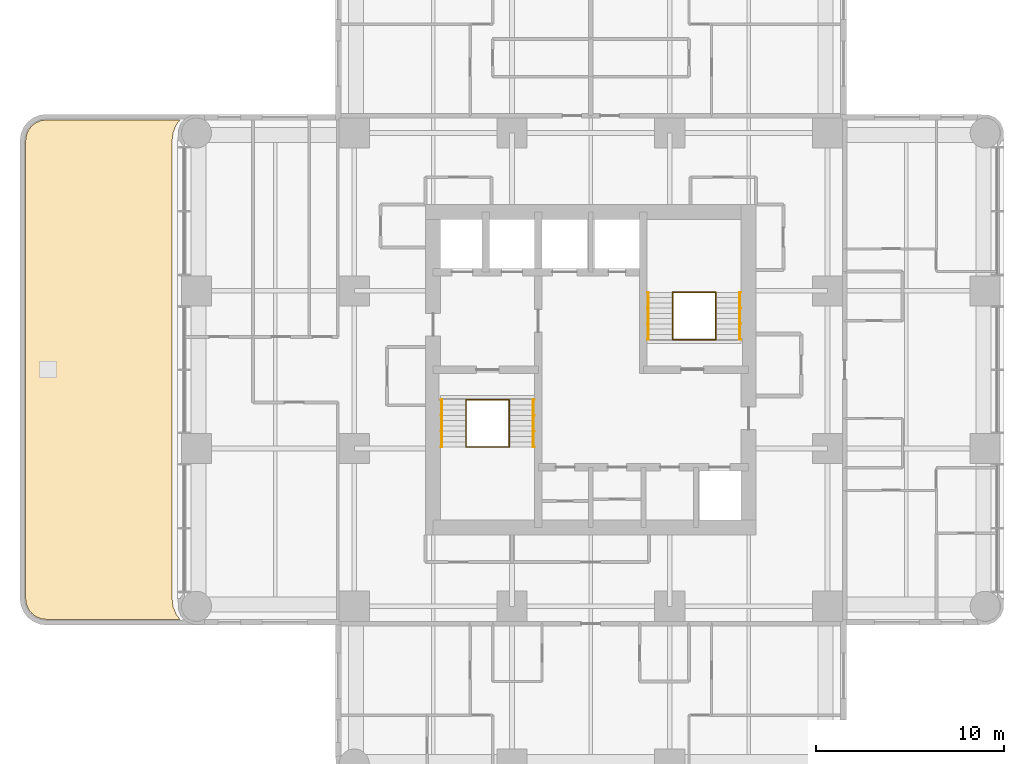
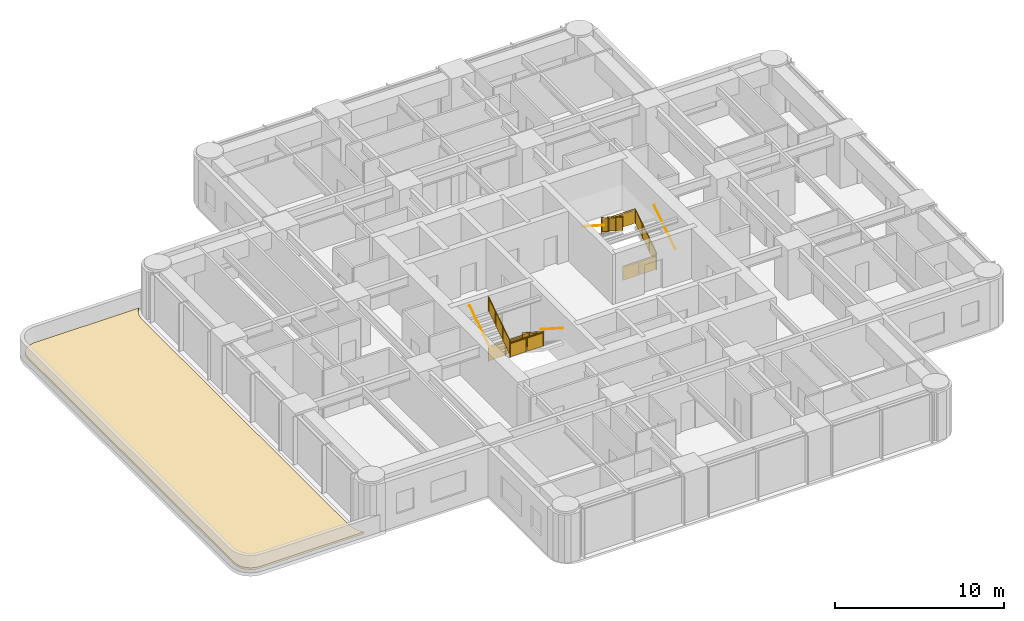
# One storey, part 9 of 9: 12 railings, 1 covering.
"""IFC4 building model written with IfcOpenShell, lengths in metres."""

from ifc_helpers import new_model, si_unit, direction, frame, origin, origin_2d, place, context, subcontext, project, spatial, polyline, circle, outline, extrude, material, layer, layer_set, type_object, element, save


model = new_model("IFC4")

# Units and contexts
model_context = context("Model", 3, precision=1e-05, world=origin(), true_north=direction((0.0, 1.0)))
body_context = subcontext(model_context, "Body", "Model", "MODEL_VIEW")
ifc_project = project(units=[si_unit("LENGTHUNIT", "METRE"), si_unit("AREAUNIT", "SQUARE_METRE"), si_unit("VOLUMEUNIT", "CUBIC_METRE"), si_unit("PLANEANGLEUNIT", "RADIAN"), si_unit("MASSUNIT", "GRAM", prefix="KILO")], contexts=[model_context])

# Site, building, storey
site_placement = place(None, origin())
site = spatial("IfcSite", under=ifc_project, at=site_placement, CompositionType="ELEMENT")
building_placement = place(site_placement, origin())
building = spatial("IfcBuilding", under=site, at=building_placement, Name="Torre Alcanfor", CompositionType="ELEMENT")
storey_placement = place(building_placement, frame((0.0, 0.0, 254.10009765625)))
storey = spatial("IfcBuildingStorey", under=building, at=storey_placement, Name="L66", CompositionType="ELEMENT", Elevation=254.10009765625)

# Covering
ifc_material_1 = material(Name="Growing medium on drainage board and waterproofing", Category="masonry")
ifc_layer = layer(ifc_material_1, 0.14990234375)
ifc_layer_set = layer_set([ifc_layer], Name="Planted roof build-up 150")
covering_type = type_object("IfcCoveringType", Name="Planted roof build-up 150", PredefinedType="ROOFING", material=ifc_layer_set)
covering_placement = place(storey_placement, origin())
element("IfcCovering", 1, at=covering_placement, inside=storey, type_object=covering_type, Name="Planted maintenance roof L66 1", PredefinedType="ROOFING", context=body_context, shape_type="SweptSolid", body=[
    extrude(outline(polyline([(7.516357421875, 16.10009765625), (0.419677734375, 16.10009765625), (0.115966796875, 16.139892578125), (-0.148681640625, 16.249755859375), (-0.3759765625, 16.424072265625), (-0.55029296875, 16.6513671875), (-0.659912109375, 16.916015625), (-0.699951171875, 17.2197265625), (-0.699951171875, 41.580322265625), (-0.659912109375, 41.884033203125), (-0.55029296875, 42.148681640625), (-0.3759765625, 42.3759765625), (-0.148681640625, 42.55029296875), (0.115966796875, 42.659912109375), (0.419677734375, 42.699951171875), (7.516357421875, 42.699951171875), (7.32568359375, 42.451416015625), (7.155517578125, 42.04052734375), (7.10009765625, 41.61962890625), (7.10009765625, 17.180419921875), (7.155517578125, 16.75927734375), (7.32568359375, 16.3486328125), (7.516357421875, 16.10009765625)])), origin(), (0.0, 0.0, 1.0), 0.14990234375),
])

# Railings
ifc_material_2 = material(Name="Steel ASTM A500 Grade C hollow sections", Category="steel")
railing_type_1 = type_object("IfcRailingType", Name="Stair guard and handrail 1100", PredefinedType="GUARDRAIL", material=ifc_material_2)
railing_1_placement = place(storey_placement, frame((25.050048828125, 27.800048828125, 0.179931640625)))
element("IfcRailing", 2, at=railing_1_placement, inside=storey, type_object=railing_type_1, Name="Stair guard S1 L66 flight 1", PredefinedType="GUARDRAIL", context=body_context, shape_type="SweptSolid", body=[
    extrude(circle(Radius=0.02392578125, at=origin_2d()), frame((0.0, 0.0, 1.076171875), z_axis=(0.0, -0.841199657755, 0.540724639528), x_axis=(1.0, 0.0, 0.0)), (0.0, 0.0, 1.0), 2.995849609375),
    extrude(circle(Radius=0.02099609375, at=origin_2d()), origin(), (0.0, 0.0, 1.0), 1.052001953125),
    extrude(circle(Radius=0.02099609375, at=origin_2d()), frame((0.0, -0.840087890625, 0.5400390625)), (0.0, 0.0, 1.0), 1.052001953125),
    extrude(circle(Radius=0.02099609375, at=origin_2d()), frame((0.0, -1.679931640625, 1.079833984375)), (0.0, 0.0, 1.0), 1.052001953125),
    extrude(circle(Radius=0.02099609375, at=origin_2d()), frame((0.0, -2.52001953125, 1.619873046875)), (0.0, 0.0, 1.0), 1.052001953125),
    extrude(outline(polyline([(0.041015625, 0.076416015625), (0.799072265625, 0.563720703125), (0.799072265625, 1.515625), (0.041015625, 1.0283203125), (0.041015625, 0.076416015625)])), frame((0.005859375, 0.0, 0.0), z_axis=(-1.0, 0.0, 0.0), x_axis=(0.0, -1.0, 0.0)), (0.0, 0.0, 1.0), 0.011962890625),
    extrude(outline(polyline([(0.881103515625, 0.6162109375), (1.638916015625, 1.103515625), (1.638916015625, 2.0556640625), (0.881103515625, 1.568359375), (0.881103515625, 0.6162109375)])), frame((0.005859375, 0.0, 0.0), z_axis=(-1.0, 0.0, 0.0), x_axis=(0.0, -1.0, 0.0)), (0.0, 0.0, 1.0), 0.011962890625),
    extrude(outline(polyline([(1.720947265625, 1.15625), (2.47900390625, 1.6435546875), (2.47900390625, 2.595458984375), (1.720947265625, 2.108154296875), (1.720947265625, 1.15625)])), frame((0.005859375, 0.0, 0.0), z_axis=(-1.0, 0.0, 0.0), x_axis=(0.0, -1.0, 0.0)), (0.0, 0.0, 1.0), 0.011962890625),
])
railing_2_placement = place(storey_placement, frame((22.75, 25.280029296875, 1.97998046875)))
element("IfcRailing", 3, at=railing_2_placement, inside=storey, type_object=railing_type_1, Name="Stair guard S1 L66 flight 2", PredefinedType="GUARDRAIL", context=body_context, shape_type="SweptSolid", body=[
    extrude(circle(Radius=0.02392578125, at=origin_2d()), frame((0.0, 0.0, 1.076171875), z_axis=(0.0, 0.841199657755, 0.540724639528), x_axis=(-1.0, 0.0, 0.0)), (0.0, 0.0, 1.0), 2.995849609375),
    extrude(circle(Radius=0.02099609375, at=origin_2d()), origin(), (0.0, 0.0, 1.0), 1.052001953125),
    extrude(circle(Radius=0.02099609375, at=origin_2d()), frame((0.0, 0.840087890625, 0.5400390625)), (0.0, 0.0, 1.0), 1.052001953125),
    extrude(circle(Radius=0.02099609375, at=origin_2d()), frame((0.0, 1.679931640625, 1.079833984375)), (0.0, 0.0, 1.0), 1.052001953125),
    extrude(circle(Radius=0.02099609375, at=origin_2d()), frame((0.0, 2.52001953125, 1.619873046875)), (0.0, 0.0, 1.0), 1.052001953125),
    extrude(outline(polyline([(0.041015625, 0.076416015625), (0.799072265625, 0.563720703125), (0.799072265625, 1.515625), (0.041015625, 1.0283203125), (0.041015625, 0.076416015625)])), frame((-0.005859375, 0.0, 0.0), z_axis=(1.0, 0.0, 0.0), x_axis=(0.0, 1.0, 0.0)), (0.0, 0.0, 1.0), 0.011962890625),
    extrude(outline(polyline([(0.881103515625, 0.6162109375), (1.638916015625, 1.103515625), (1.638916015625, 2.0556640625), (0.881103515625, 1.568359375), (0.881103515625, 0.6162109375)])), frame((-0.005859375, 0.0, 0.0), z_axis=(1.0, 0.0, 0.0), x_axis=(0.0, 1.0, 0.0)), (0.0, 0.0, 1.0), 0.011962890625),
    extrude(outline(polyline([(1.720947265625, 1.15625), (2.47900390625, 1.6435546875), (2.47900390625, 2.595458984375), (1.720947265625, 2.108154296875), (1.720947265625, 1.15625)])), frame((-0.005859375, 0.0, 0.0), z_axis=(1.0, 0.0, 0.0), x_axis=(0.0, 1.0, 0.0)), (0.0, 0.0, 1.0), 0.011962890625),
])
for number, where, name in (
    (4, (22.75, 27.800048828125, 0.0), "Stair well guard S1 L66 floor landing"),
    (5, (22.75, 25.280029296875, 1.7998046875), "Stair well guard S1 L66 half landing"),
):
    element("IfcRailing", number, at=place(storey_placement, frame(where)), inside=storey, type_object=railing_type_1, Name=name, PredefinedType="GUARDRAIL", context=body_context, shape_type="SweptSolid", body=[
        extrude(circle(Radius=0.02392578125, at=origin_2d()), frame((0.0, 0.0, 1.076171875), z_axis=(1.0, 0.0, 0.0), x_axis=(0.0, 1.0, 0.0)), (0.0, 0.0, 1.0), 2.300048828125),
        extrude(circle(Radius=0.02099609375, at=origin_2d()), origin(), (0.0, 0.0, 1.0), 1.052001953125),
        extrude(circle(Radius=0.02099609375, at=origin_2d()), frame((1.14990234375, 0.0, 0.0)), (0.0, 0.0, 1.0), 1.052001953125),
        extrude(circle(Radius=0.02099609375, at=origin_2d()), frame((2.300048828125, 0.0, 0.0)), (0.0, 0.0, 1.0), 1.052001953125),
        extrude(outline(polyline([(0.041015625, 0.050048828125), (1.109130859375, 0.050048828125), (1.109130859375, 1.001953125), (0.041015625, 1.001953125), (0.041015625, 0.050048828125)])), frame((0.0, 0.005859375, 0.0), z_axis=(0.0, -1.0, 0.0), x_axis=(1.0, 0.0, 0.0)), (0.0, 0.0, 1.0), 0.011962890625),
        extrude(outline(polyline([(1.19091796875, 0.050048828125), (2.259033203125, 0.050048828125), (2.259033203125, 1.001953125), (1.19091796875, 1.001953125), (1.19091796875, 0.050048828125)])), frame((0.0, 0.005859375, 0.0), z_axis=(0.0, -1.0, 0.0), x_axis=(1.0, 0.0, 0.0)), (0.0, 0.0, 1.0), 0.011962890625),
    ])
railing_3_placement = place(storey_placement, frame((36.050048828125, 31.0, 0.179931640625)))
element("IfcRailing", 6, at=railing_3_placement, inside=storey, type_object=railing_type_1, Name="Stair guard S2 L66 flight 1", PredefinedType="GUARDRAIL", context=body_context, shape_type="SweptSolid", body=[
    extrude(circle(Radius=0.02392578125, at=origin_2d()), frame((0.0, 0.0, 1.076171875), z_axis=(0.0, 0.841199657755, 0.540724639528), x_axis=(-1.0, 0.0, 0.0)), (0.0, 0.0, 1.0), 2.995849609375),
    extrude(circle(Radius=0.02099609375, at=origin_2d()), origin(), (0.0, 0.0, 1.0), 1.052001953125),
    extrude(circle(Radius=0.02099609375, at=origin_2d()), frame((0.0, 0.840087890625, 0.5400390625)), (0.0, 0.0, 1.0), 1.052001953125),
    extrude(circle(Radius=0.02099609375, at=origin_2d()), frame((0.0, 1.679931640625, 1.079833984375)), (0.0, 0.0, 1.0), 1.052001953125),
    extrude(circle(Radius=0.02099609375, at=origin_2d()), frame((0.0, 2.52001953125, 1.619873046875)), (0.0, 0.0, 1.0), 1.052001953125),
    extrude(outline(polyline([(0.041015625, 0.076416015625), (0.799072265625, 0.563720703125), (0.799072265625, 1.515625), (0.041015625, 1.0283203125), (0.041015625, 0.076416015625)])), frame((-0.005859375, 0.0, 0.0), z_axis=(1.0, 0.0, 0.0), x_axis=(0.0, 1.0, 0.0)), (0.0, 0.0, 1.0), 0.011962890625),
    extrude(outline(polyline([(0.881103515625, 0.6162109375), (1.638916015625, 1.103515625), (1.638916015625, 2.0556640625), (0.881103515625, 1.568359375), (0.881103515625, 0.6162109375)])), frame((-0.005859375, 0.0, 0.0), z_axis=(1.0, 0.0, 0.0), x_axis=(0.0, 1.0, 0.0)), (0.0, 0.0, 1.0), 0.011962890625),
    extrude(outline(polyline([(1.720947265625, 1.15625), (2.47900390625, 1.6435546875), (2.47900390625, 2.595458984375), (1.720947265625, 2.108154296875), (1.720947265625, 1.15625)])), frame((-0.005859375, 0.0, 0.0), z_axis=(1.0, 0.0, 0.0), x_axis=(0.0, 1.0, 0.0)), (0.0, 0.0, 1.0), 0.011962890625),
])
railing_4_placement = place(storey_placement, frame((33.75, 33.52001953125, 1.97998046875)))
element("IfcRailing", 7, at=railing_4_placement, inside=storey, type_object=railing_type_1, Name="Stair guard S2 L66 flight 2", PredefinedType="GUARDRAIL", context=body_context, shape_type="SweptSolid", body=[
    extrude(circle(Radius=0.02392578125, at=origin_2d()), frame((0.0, 0.0, 1.076171875), z_axis=(0.0, -0.841199657755, 0.540724639528), x_axis=(1.0, 0.0, 0.0)), (0.0, 0.0, 1.0), 2.995849609375),
    extrude(circle(Radius=0.02099609375, at=origin_2d()), origin(), (0.0, 0.0, 1.0), 1.052001953125),
    extrude(circle(Radius=0.02099609375, at=origin_2d()), frame((0.0, -0.840087890625, 0.5400390625)), (0.0, 0.0, 1.0), 1.052001953125),
    extrude(circle(Radius=0.02099609375, at=origin_2d()), frame((0.0, -1.679931640625, 1.079833984375)), (0.0, 0.0, 1.0), 1.052001953125),
    extrude(circle(Radius=0.02099609375, at=origin_2d()), frame((0.0, -2.52001953125, 1.619873046875)), (0.0, 0.0, 1.0), 1.052001953125),
    extrude(outline(polyline([(0.041015625, 0.076416015625), (0.799072265625, 0.563720703125), (0.799072265625, 1.515625), (0.041015625, 1.0283203125), (0.041015625, 0.076416015625)])), frame((0.005859375, 0.0, 0.0), z_axis=(-1.0, 0.0, 0.0), x_axis=(0.0, -1.0, 0.0)), (0.0, 0.0, 1.0), 0.011962890625),
    extrude(outline(polyline([(0.881103515625, 0.6162109375), (1.638916015625, 1.103515625), (1.638916015625, 2.0556640625), (0.881103515625, 1.568359375), (0.881103515625, 0.6162109375)])), frame((0.005859375, 0.0, 0.0), z_axis=(-1.0, 0.0, 0.0), x_axis=(0.0, -1.0, 0.0)), (0.0, 0.0, 1.0), 0.011962890625),
    extrude(outline(polyline([(1.720947265625, 1.15625), (2.47900390625, 1.6435546875), (2.47900390625, 2.595458984375), (1.720947265625, 2.108154296875), (1.720947265625, 1.15625)])), frame((0.005859375, 0.0, 0.0), z_axis=(-1.0, 0.0, 0.0), x_axis=(0.0, -1.0, 0.0)), (0.0, 0.0, 1.0), 0.011962890625),
])
for number, where, name in (
    (8, (33.75, 31.0, 0.0), "Stair well guard S2 L66 floor landing"),
    (9, (33.75, 33.52001953125, 1.7998046875), "Stair well guard S2 L66 half landing"),
):
    element("IfcRailing", number, at=place(storey_placement, frame(where)), inside=storey, type_object=railing_type_1, Name=name, PredefinedType="GUARDRAIL", context=body_context, shape_type="SweptSolid", body=[
        extrude(circle(Radius=0.02392578125, at=origin_2d()), frame((0.0, 0.0, 1.076171875), z_axis=(1.0, 0.0, 0.0), x_axis=(0.0, 1.0, 0.0)), (0.0, 0.0, 1.0), 2.300048828125),
        extrude(circle(Radius=0.02099609375, at=origin_2d()), origin(), (0.0, 0.0, 1.0), 1.052001953125),
        extrude(circle(Radius=0.02099609375, at=origin_2d()), frame((1.14990234375, 0.0, 0.0)), (0.0, 0.0, 1.0), 1.052001953125),
        extrude(circle(Radius=0.02099609375, at=origin_2d()), frame((2.300048828125, 0.0, 0.0)), (0.0, 0.0, 1.0), 1.052001953125),
        extrude(outline(polyline([(0.041015625, 0.050048828125), (1.109130859375, 0.050048828125), (1.109130859375, 1.001953125), (0.041015625, 1.001953125), (0.041015625, 0.050048828125)])), frame((0.0, 0.005859375, 0.0), z_axis=(0.0, -1.0, 0.0), x_axis=(1.0, 0.0, 0.0)), (0.0, 0.0, 1.0), 0.011962890625),
        extrude(outline(polyline([(1.19091796875, 0.050048828125), (2.259033203125, 0.050048828125), (2.259033203125, 1.001953125), (1.19091796875, 1.001953125), (1.19091796875, 0.050048828125)])), frame((0.0, 0.005859375, 0.0), z_axis=(0.0, -1.0, 0.0), x_axis=(1.0, 0.0, 0.0)), (0.0, 0.0, 1.0), 0.011962890625),
    ])
ifc_material_3 = material(Name="Steel ASTM A500 Grade C hollow sections", Category="steel")
railing_type_2 = type_object("IfcRailingType", Name="Stair wall handrail 900", PredefinedType="HANDRAIL", material=ifc_material_3)
railing_5_placement = place(storey_placement, frame((26.3349609375, 27.800048828125, 0.179931640625)))
element("IfcRailing", 10, at=railing_5_placement, inside=storey, type_object=railing_type_2, Name="Stair handrail S1 L66 flight 1", PredefinedType="HANDRAIL", context=body_context, shape_type="SweptSolid", body=[
    extrude(circle(Radius=0.02392578125, at=origin_2d()), frame((0.0, 0.0, 0.8759765625), z_axis=(0.0, -0.841199657755, 0.540724639528), x_axis=(1.0, 0.0, 0.0)), (0.0, 0.0, 1.0), 2.995849609375),
    extrude(circle(Radius=0.008056640625, at=origin_2d()), frame((0.0, 0.0, 0.8759765625), z_axis=(1.0, 0.0, 0.0), x_axis=(0.0, 0.0, 1.0)), (0.0, 0.0, 1.0), 0.06494140625),
    extrude(circle(Radius=0.008056640625, at=origin_2d()), frame((0.0, -0.840087890625, 1.415771484375), z_axis=(1.0, 0.0, 0.0), x_axis=(0.0, 0.0, 1.0)), (0.0, 0.0, 1.0), 0.06494140625),
    extrude(circle(Radius=0.008056640625, at=origin_2d()), frame((0.0, -1.679931640625, 1.955810546875), z_axis=(1.0, 0.0, 0.0), x_axis=(0.0, 0.0, 1.0)), (0.0, 0.0, 1.0), 0.06494140625),
    extrude(circle(Radius=0.008056640625, at=origin_2d()), frame((0.0, -2.52001953125, 2.49560546875), z_axis=(1.0, 0.0, 0.0), x_axis=(0.0, 0.0, 1.0)), (0.0, 0.0, 1.0), 0.06494140625),
])
railing_6_placement = place(storey_placement, frame((21.465087890625, 25.280029296875, 1.97998046875)))
element("IfcRailing", 11, at=railing_6_placement, inside=storey, type_object=railing_type_2, Name="Stair handrail S1 L66 flight 2", PredefinedType="HANDRAIL", context=body_context, shape_type="SweptSolid", body=[
    extrude(circle(Radius=0.02392578125, at=origin_2d()), frame((0.0, 0.0, 0.8759765625), z_axis=(0.0, 0.841199657755, 0.540724639528), x_axis=(-1.0, 0.0, 0.0)), (0.0, 0.0, 1.0), 2.995849609375),
    extrude(circle(Radius=0.008056640625, at=origin_2d()), frame((0.0, 0.0, 0.8759765625), z_axis=(-1.0, 0.0, 0.0), x_axis=(0.0, 0.0, 1.0)), (0.0, 0.0, 1.0), 0.06494140625),
    extrude(circle(Radius=0.008056640625, at=origin_2d()), frame((0.0, 0.840087890625, 1.415771484375), z_axis=(-1.0, 0.0, 0.0), x_axis=(0.0, 0.0, 1.0)), (0.0, 0.0, 1.0), 0.06494140625),
    extrude(circle(Radius=0.008056640625, at=origin_2d()), frame((0.0, 1.679931640625, 1.955810546875), z_axis=(-1.0, 0.0, 0.0), x_axis=(0.0, 0.0, 1.0)), (0.0, 0.0, 1.0), 0.06494140625),
    extrude(circle(Radius=0.008056640625, at=origin_2d()), frame((0.0, 2.52001953125, 2.49560546875), z_axis=(-1.0, 0.0, 0.0), x_axis=(0.0, 0.0, 1.0)), (0.0, 0.0, 1.0), 0.06494140625),
])
railing_7_placement = place(storey_placement, frame((37.3349609375, 31.0, 0.179931640625)))
element("IfcRailing", 12, at=railing_7_placement, inside=storey, type_object=railing_type_2, Name="Stair handrail S2 L66 flight 1", PredefinedType="HANDRAIL", context=body_context, shape_type="SweptSolid", body=[
    extrude(circle(Radius=0.02392578125, at=origin_2d()), frame((0.0, 0.0, 0.8759765625), z_axis=(0.0, 0.841199657755, 0.540724639528), x_axis=(-1.0, 0.0, 0.0)), (0.0, 0.0, 1.0), 2.995849609375),
    extrude(circle(Radius=0.008056640625, at=origin_2d()), frame((0.0, 0.0, 0.8759765625), z_axis=(1.0, 0.0, 0.0), x_axis=(0.0, 0.0, 1.0)), (0.0, 0.0, 1.0), 0.06494140625),
    extrude(circle(Radius=0.008056640625, at=origin_2d()), frame((0.0, 0.840087890625, 1.415771484375), z_axis=(1.0, 0.0, 0.0), x_axis=(0.0, 0.0, 1.0)), (0.0, 0.0, 1.0), 0.06494140625),
    extrude(circle(Radius=0.008056640625, at=origin_2d()), frame((0.0, 1.679931640625, 1.955810546875), z_axis=(1.0, 0.0, 0.0), x_axis=(0.0, 0.0, 1.0)), (0.0, 0.0, 1.0), 0.06494140625),
    extrude(circle(Radius=0.008056640625, at=origin_2d()), frame((0.0, 2.52001953125, 2.49560546875), z_axis=(1.0, 0.0, 0.0), x_axis=(0.0, 0.0, 1.0)), (0.0, 0.0, 1.0), 0.06494140625),
])
railing_8_placement = place(storey_placement, frame((32.465087890625, 33.52001953125, 1.97998046875)))
element("IfcRailing", 13, at=railing_8_placement, inside=storey, type_object=railing_type_2, Name="Stair handrail S2 L66 flight 2", PredefinedType="HANDRAIL", context=body_context, shape_type="SweptSolid", body=[
    extrude(circle(Radius=0.02392578125, at=origin_2d()), frame((0.0, 0.0, 0.8759765625), z_axis=(0.0, -0.841199657755, 0.540724639528), x_axis=(1.0, 0.0, 0.0)), (0.0, 0.0, 1.0), 2.995849609375),
    extrude(circle(Radius=0.008056640625, at=origin_2d()), frame((0.0, 0.0, 0.8759765625), z_axis=(-1.0, 0.0, 0.0), x_axis=(0.0, 0.0, 1.0)), (0.0, 0.0, 1.0), 0.06494140625),
    extrude(circle(Radius=0.008056640625, at=origin_2d()), frame((0.0, -0.840087890625, 1.415771484375), z_axis=(-1.0, 0.0, 0.0), x_axis=(0.0, 0.0, 1.0)), (0.0, 0.0, 1.0), 0.06494140625),
    extrude(circle(Radius=0.008056640625, at=origin_2d()), frame((0.0, -1.679931640625, 1.955810546875), z_axis=(-1.0, 0.0, 0.0), x_axis=(0.0, 0.0, 1.0)), (0.0, 0.0, 1.0), 0.06494140625),
    extrude(circle(Radius=0.008056640625, at=origin_2d()), frame((0.0, -2.52001953125, 2.49560546875), z_axis=(-1.0, 0.0, 0.0), x_axis=(0.0, 0.0, 1.0)), (0.0, 0.0, 1.0), 0.06494140625),
])

save(model, "model.ifc")
